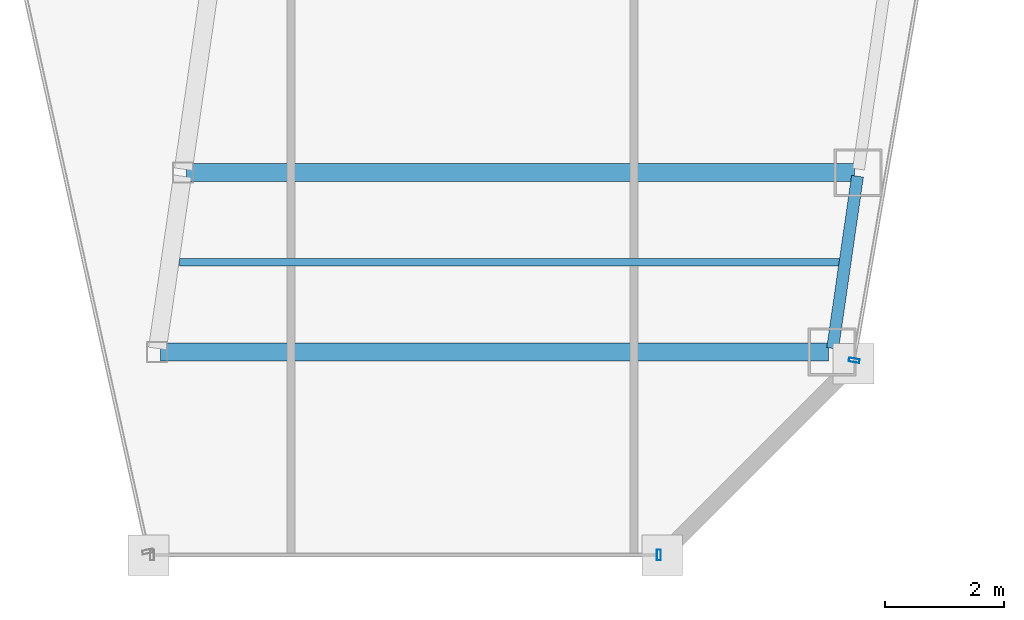
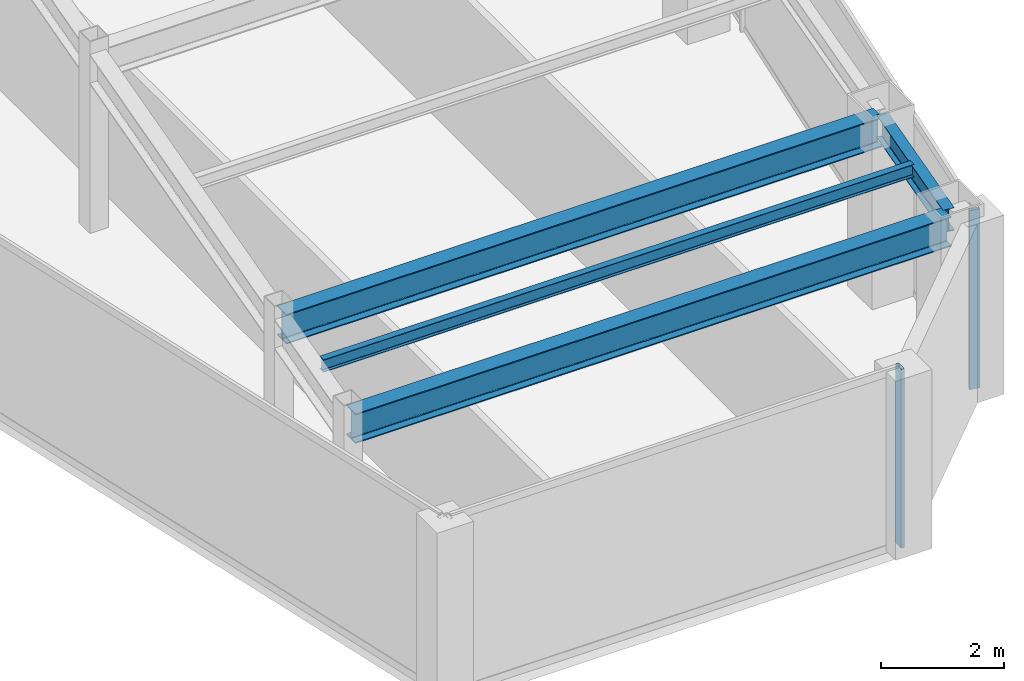
# One storey, part 14 of 32: 4 beams, 2 members, 2 elements without a shape of their own.
"""IFC4 building model written with IfcOpenShell, lengths in metres."""

from ifc_helpers import new_model, si_unit, direction, frame, origin, origin_2d, place, context, subcontext, project, spatial, hollow_rectangle, i_section, extrude, material, material_profile, profile_set, type_object, element, aggregate, save


model = new_model("IFC4")

# Units and contexts
model_context = context("Model", 3, precision=1e-05, world=origin(), true_north=direction((0.0, 1.0)))
body_context = subcontext(model_context, "Body", "Model", "MODEL_VIEW")
ifc_project = project(units=[si_unit("LENGTHUNIT", "METRE"), si_unit("AREAUNIT", "SQUARE_METRE"), si_unit("VOLUMEUNIT", "CUBIC_METRE"), si_unit("PLANEANGLEUNIT", "RADIAN"), si_unit("MASSUNIT", "GRAM", prefix="KILO")], contexts=[model_context])

# Site, building, storey
site_placement = place(None, origin())
site = spatial("IfcSite", under=ifc_project, at=site_placement, CompositionType="ELEMENT")
building_placement = place(site_placement, origin())
building = spatial("IfcBuilding", under=site, at=building_placement, Name="Saevonmaru Cultural Tower", CompositionType="ELEMENT")
storey_placement = place(building_placement, frame((0.0, 0.0, 245.800048828125)))
storey = spatial("IfcBuildingStorey", under=building, at=storey_placement, Name="L57", CompositionType="ELEMENT", Elevation=245.800048828125)

# Beams
ifc_material_1 = material(Name="Steel SM355", Category="steel")
ifc_material_profile_1 = material_profile(ifc_material_1, i_section(OverallWidth=0.300048828125, OverallDepth=0.587890625, WebThickness=0.011962890625, FlangeThickness=0.02001953125, FilletRadius=0.02392578125, at=origin_2d()), Name="H-588x300x12x20")
ifc_profile_set_1 = profile_set([ifc_material_profile_1], Name="Steel SM355")
beam_type_1 = type_object("IfcBeamType", Name="BM-G-H588", PredefinedType="BEAM", material=ifc_profile_set_1)
for number, where, z_axis, x_axis, name in (
    (1, (38.85400390625, 21.0, 3.255859375), (1.0, 0.0, 0.0), (0.0, 1.0, 0.0), "L57 East Wing Transverse Girder 1"),
    (2, (39.2880859375, 24.0, 3.255859375), (1.0, 0.0, 0.0), (0.0, 1.0, 0.0), "L57 East Wing Transverse Girder 2"),
):
    element("IfcBeam", number, at=place(storey_placement, frame(where, z_axis=z_axis, x_axis=x_axis)), inside=storey, type_object=beam_type_1, Name=name, PredefinedType="BEAM", context=body_context, shape_type="SweptSolid", body=[
        extrude(i_section(OverallWidth=0.300048828125, OverallDepth=0.587890625, WebThickness=0.011962890625, FlangeThickness=0.02001953125, FilletRadius=0.02392578125, at=origin_2d()), origin(), (0.0, 0.0, 1.0), 11.179931640625),
    ])
ifc_material_profile_2 = material_profile(ifc_material_1, i_section(OverallWidth=0.125, OverallDepth=0.25, WebThickness=0.006103515625, FlangeThickness=0.009033203125, FilletRadius=0.008056640625, at=origin_2d()), Name="H-250x125x6x9")
ifc_profile_set_2 = profile_set([ifc_material_profile_2], Name="Steel SM355")
beam_type_2 = type_object("IfcBeamType", Name="BM-J-H250", PredefinedType="JOIST", material=ifc_profile_set_2)
beam_1_placement = place(storey_placement, frame((39.1689453125, 22.5, 3.425048828125), z_axis=(1.0, 0.0, 0.0), x_axis=(0.0, 1.0, 0.0)))
element("IfcBeam", 3, at=beam_1_placement, inside=storey, type_object=beam_type_2, Name="L57 East Wing Floor Joist 1", PredefinedType="JOIST", context=body_context, shape_type="SweptSolid", body=[
    extrude(i_section(OverallWidth=0.125, OverallDepth=0.25, WebThickness=0.006103515625, FlangeThickness=0.009033203125, FilletRadius=0.008056640625, at=origin_2d()), origin(), (0.0, 0.0, 1.0), 11.08203125),
])
ifc_material_profile_3 = material_profile(ifc_material_1, i_section(OverallWidth=0.199951171875, OverallDepth=0.449951171875, WebThickness=0.009033203125, FlangeThickness=0.013916015625, FilletRadius=0.01806640625, at=origin_2d()), Name="H-450x200x9x14")
ifc_profile_set_3 = profile_set([ifc_material_profile_3], Name="Steel SM355")
beam_type_3 = type_object("IfcBeamType", Name="BM-SP-H450", PredefinedType="SPANDREL", material=ifc_profile_set_3)
beam_2_placement = place(storey_placement, frame((50.1025390625, 21.059326171875, 3.324951171875), z_axis=(0.143146955239, 0.98970144448, 0.0), x_axis=(-0.98970144448, 0.143146955239, 0.0)))
element("IfcBeam", 4, at=beam_2_placement, inside=storey, type_object=beam_type_3, Name="L57 East Splayed Spandrel 1", PredefinedType="SPANDREL", context=body_context, shape_type="SweptSolid", body=[
    extrude(i_section(OverallWidth=0.199951171875, OverallDepth=0.449951171875, WebThickness=0.009033203125, FlangeThickness=0.013916015625, FilletRadius=0.01806640625, at=origin_2d()), origin(), (0.0, 0.0, 1.0), 2.911376953125),
])

# Curtain wall, member
ifc_material_2 = material(Name="Satin Bronze Anodised Aluminium", Category="aluminium")
curtain_wall_type = type_object("IfcCurtainWallType", Name="CW-TYP-B", PredefinedType="NOTDEFINED", material=ifc_material_2)
curtain_wall_1_placement = place(storey_placement, origin())
curtain_wall_1 = element("IfcCurtainWall", 5, at=curtain_wall_1_placement, inside=storey, type_object=curtain_wall_type, Name="L57 Unitised Curtain Wall E6", PredefinedType="NOTDEFINED")
ifc_material_profile_4 = material_profile(ifc_material_2, hollow_rectangle(XDim=0.06494140625, YDim=0.179931640625, WallThickness=0.00390625, at=origin_2d()), Name="ALU-MULL-180x65x4")
ifc_profile_set_4 = profile_set([ifc_material_profile_4], Name="Satin Bronze Anodised Aluminium")
member_type = type_object("IfcMemberType", Name="ML-CW-180x65", PredefinedType="MULLION", material=ifc_profile_set_4)
member_1_placement = place(storey_placement, frame((47.193359375, 17.60009765625, 0.0), z_axis=(0.0, 0.0, 1.0), x_axis=(1.0, 0.0, 0.0)))
member_1 = element("IfcMember", 6, at=member_1_placement, type_object=member_type, Name="CW-TW-L57-E6 mullion 2", PredefinedType="MULLION", context=body_context, shape_type="SweptSolid", body=[
    extrude(hollow_rectangle(XDim=0.06494140625, YDim=0.179931640625, WallThickness=0.00390625, at=origin_2d()), origin(), (0.0, 0.0, 1.0), 3.550048828125),
])
aggregate(curtain_wall_1, [member_1])

curtain_wall_2_placement = place(storey_placement, origin())
curtain_wall_2 = element("IfcCurtainWall", 7, at=curtain_wall_2_placement, inside=storey, type_object=curtain_wall_type, Name="L57 Unitised Curtain Wall E8", PredefinedType="NOTDEFINED")
member_2_placement = place(storey_placement, frame((50.46337890625, 20.859130859375, 0.0), z_axis=(0.0, 0.0, 1.0), x_axis=(0.170790369887, 0.985307388359, 0.0)))
member_2 = element("IfcMember", 8, at=member_2_placement, type_object=member_type, Name="CW-TW-L57-E8 mullion 1", PredefinedType="MULLION", context=body_context, shape_type="SweptSolid", body=[
    extrude(hollow_rectangle(XDim=0.06494140625, YDim=0.179931640625, WallThickness=0.00390625, at=origin_2d()), origin(), (0.0, 0.0, 1.0), 3.550048828125),
])
aggregate(curtain_wall_2, [member_2])

save(model, "model.ifc")
